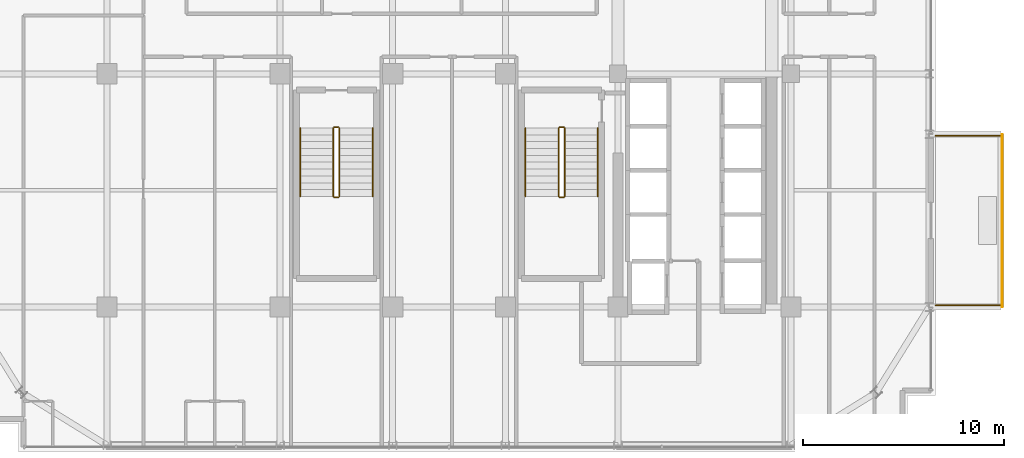
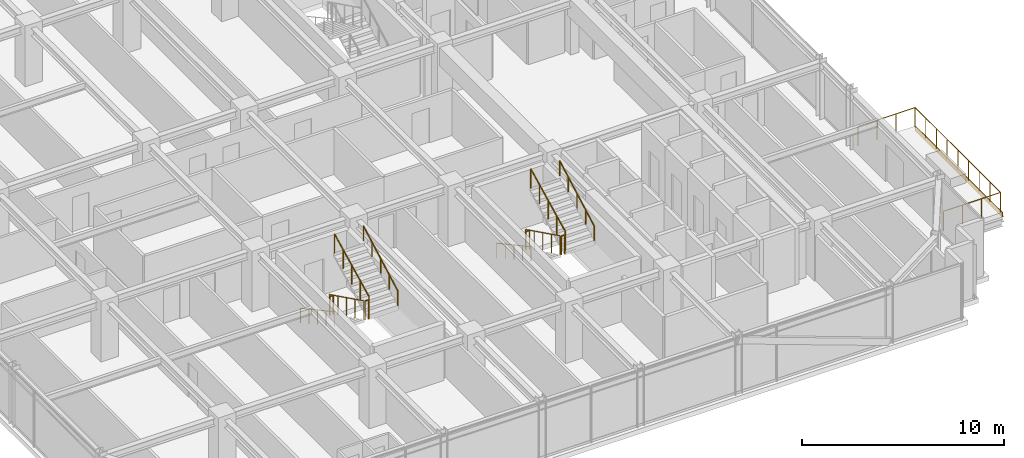
# One storey, part 41 of 43: 13 railings, 1 covering.
"""IFC4 building model written with IfcOpenShell, lengths in metres."""

from ifc_helpers import new_model, si_unit, direction, frame, origin, origin_2d, place, context, subcontext, project, spatial, rectangle, circle, extrude, source, transform, mapped, material, layer, layer_set, type_object, element, save


model = new_model("IFC4")

# Units and contexts
model_context = context("Model", 3, precision=1e-05, world=origin(), true_north=direction((0.0, 1.0)))
body_context = subcontext(model_context, "Body", "Model", "MODEL_VIEW")
ifc_project = project(units=[si_unit("LENGTHUNIT", "METRE"), si_unit("AREAUNIT", "SQUARE_METRE"), si_unit("VOLUMEUNIT", "CUBIC_METRE"), si_unit("PLANEANGLEUNIT", "RADIAN"), si_unit("MASSUNIT", "GRAM", prefix="KILO")], contexts=[model_context])

# Site, building, storey
site_placement = place(None, origin())
site = spatial("IfcSite", under=ifc_project, at=site_placement, CompositionType="ELEMENT")
building_placement = place(site_placement, origin())
building = spatial("IfcBuilding", under=site, at=building_placement, Name="Nahalor Promenade Grand Hotel", CompositionType="ELEMENT")
storey_placement = place(building_placement, frame((0.0, 0.0, 204.89990234375)))
storey = spatial("IfcBuildingStorey", under=building, at=storey_placement, Name="L52", CompositionType="ELEMENT", Elevation=204.89990234375)

# Railings
ifc_material_1 = material(Name="Anodised Bronze Aluminium EN AW-6063 T6", Category="aluminium")
railing_type_1 = type_object("IfcRailingType", Name="Bronze Balcony Guardrail 1200 mm", PredefinedType="GUARDRAIL", material=ifc_material_1)
railing_1_placement = place(storey_placement, frame((24.199951171875, -16.919921875, 0.0)))
element("IfcRailing", 1, at=railing_1_placement, inside=storey, type_object=railing_type_1, Name="L52 Balcony Guardrail 2", PredefinedType="GUARDRAIL", context=body_context, shape_type="SweptSolid", body=[
    extrude(circle(Radius=0.024048, at=origin_2d()), frame((0.0, 0.0, 1.17578125), z_axis=(1.0, 0.0, 0.0), x_axis=(0.0, 1.0, 0.0)), (0.0, 0.0, 1.0), 3.248046875),
    extrude(circle(Radius=0.024048, at=origin_2d()), frame((3.25, 0.001953125, 1.17578125), z_axis=(0.0, 1.0, 0.0), x_axis=(-1.0, 0.0, 0.0)), (0.0, 0.0, 1.0), 8.43603515625),
    extrude(circle(Radius=0.024048, at=origin_2d()), frame((3.248046875, 8.43994140625, 1.17578125), z_axis=(-1.0, 0.0, 0.0), x_axis=(0.0, -1.0, 0.0)), (0.0, 0.0, 1.0), 3.248046875),
    extrude(circle(Radius=0.020996, at=origin_2d()), origin(), (0.0, 0.0, 1.0), 1.14990234375),
    extrude(circle(Radius=0.020996, at=origin_2d()), frame((1.083251953125, 0.0, 0.0)), (0.0, 0.0, 1.0), 1.14990234375),
    extrude(circle(Radius=0.020996, at=origin_2d()), frame((2.166748046875, 0.0, 0.0)), (0.0, 0.0, 1.0), 1.14990234375),
    extrude(circle(Radius=0.020996, at=origin_2d()), frame((3.25, 0.0, 0.0)), (0.0, 0.0, 1.0), 1.14990234375),
    extrude(circle(Radius=0.020996, at=origin_2d()), frame((3.25, 1.054931640625, 0.0)), (0.0, 0.0, 1.0), 1.14990234375),
    extrude(circle(Radius=0.020996, at=origin_2d()), frame((3.25, 2.10986328125, 0.0)), (0.0, 0.0, 1.0), 1.14990234375),
    extrude(circle(Radius=0.020996, at=origin_2d()), frame((3.25, 3.1650390625, 0.0)), (0.0, 0.0, 1.0), 1.14990234375),
    extrude(circle(Radius=0.020996, at=origin_2d()), frame((3.25, 4.219970703125, 0.0)), (0.0, 0.0, 1.0), 1.14990234375),
    extrude(circle(Radius=0.020996, at=origin_2d()), frame((3.25, 5.27490234375, 0.0)), (0.0, 0.0, 1.0), 1.14990234375),
    extrude(circle(Radius=0.020996, at=origin_2d()), frame((3.25, 6.330078125, 0.0)), (0.0, 0.0, 1.0), 1.14990234375),
    extrude(circle(Radius=0.020996, at=origin_2d()), frame((3.25, 7.385009765625, 0.0)), (0.0, 0.0, 1.0), 1.14990234375),
    extrude(circle(Radius=0.020996, at=origin_2d()), frame((3.25, 8.43994140625, 0.0)), (0.0, 0.0, 1.0), 1.14990234375),
    extrude(circle(Radius=0.020996, at=origin_2d()), frame((2.166748046875, 8.43994140625, 0.0)), (0.0, 0.0, 1.0), 1.14990234375),
    extrude(circle(Radius=0.020996, at=origin_2d()), frame((1.083251953125, 8.43994140625, 0.0)), (0.0, 0.0, 1.0), 1.14990234375),
    extrude(circle(Radius=0.020996, at=origin_2d()), frame((0.0, 8.43994140625, 0.0)), (0.0, 0.0, 1.0), 1.14990234375),
])
ifc_material_2 = material(Name="Steel S355JR", Category="steel")
railing_type_2 = type_object("IfcRailingType", Name="Steel Stair Guardrail 1150 mm", PredefinedType="GUARDRAIL", material=ifc_material_2)
railing_2_placement = place(storey_placement, frame((5.449951171875, -8.10009765625, 0.168212890625)))
element("IfcRailing", 2, at=railing_2_placement, inside=storey, type_object=railing_type_2, Name="L52 ST2 stair guard 1", PredefinedType="GUARDRAIL", context=body_context, shape_type="SweptSolid", body=[
    extrude(circle(Radius=0.024048, at=origin_2d()), frame((0.0, 0.0, 1.1259765625), z_axis=(0.0, -0.896324230515, 0.443399226197), x_axis=(1.0, 0.0, 0.0)), (0.0, 0.0, 1.0), 3.793212890625),
    extrude(circle(Radius=0.020996, at=origin_2d()), origin(), (0.0, 0.0, 1.0), 1.099853515625),
    extrude(circle(Radius=0.020996, at=origin_2d()), frame((0.0, -0.85009765625, 0.42041015625)), (0.0, 0.0, 1.0), 1.099853515625),
    extrude(circle(Radius=0.020996, at=origin_2d()), frame((0.0, -1.699951171875, 0.8408203125)), (0.0, 0.0, 1.0), 1.099853515625),
    extrude(circle(Radius=0.020996, at=origin_2d()), frame((0.0, -2.5498046875, 1.261474609375)), (0.0, 0.0, 1.0), 1.099853515625),
    extrude(circle(Radius=0.020996, at=origin_2d()), frame((0.0, -3.39990234375, 1.681884765625)), (0.0, 0.0, 1.0), 1.099853515625),
])
railing_3_placement = place(storey_placement, frame((5.5, -11.550048828125, 1.85009765625)))
element("IfcRailing", 3, at=railing_3_placement, inside=storey, type_object=railing_type_2, Name="L52 ST2 stair guard 2", PredefinedType="GUARDRAIL", context=body_context, shape_type="SweptSolid", body=[
    extrude(circle(Radius=0.024048, at=origin_2d()), frame((0.0, 0.0, 1.1259765625), z_axis=(1.0, 0.0, 0.0), x_axis=(0.0, 1.0, 0.0)), (0.0, 0.0, 1.0), 0.199951171875),
    extrude(circle(Radius=0.020996, at=origin_2d()), origin(), (0.0, 0.0, 1.0), 1.099853515625),
    extrude(circle(Radius=0.020996, at=origin_2d()), frame((0.199951171875, 0.0, 0.0)), (0.0, 0.0, 1.0), 1.099853515625),
])
railing_4_placement = place(storey_placement, frame((5.75, -11.5, 2.018310546875)))
element("IfcRailing", 4, at=railing_4_placement, inside=storey, type_object=railing_type_2, Name="L52 ST2 stair guard 3", PredefinedType="GUARDRAIL", context=body_context, shape_type="SweptSolid", body=[
    extrude(circle(Radius=0.024048, at=origin_2d()), frame((0.0, 0.0, 1.1259765625), z_axis=(0.0, 0.896324230515, 0.443399226197), x_axis=(-1.0, 0.0, 0.0)), (0.0, 0.0, 1.0), 3.793212890625),
    extrude(circle(Radius=0.020996, at=origin_2d()), origin(), (0.0, 0.0, 1.0), 1.099853515625),
    extrude(circle(Radius=0.020996, at=origin_2d()), frame((0.0, 0.85009765625, 0.42041015625)), (0.0, 0.0, 1.0), 1.099853515625),
    extrude(circle(Radius=0.020996, at=origin_2d()), frame((0.0, 1.699951171875, 0.8408203125)), (0.0, 0.0, 1.0), 1.099853515625),
    extrude(circle(Radius=0.020996, at=origin_2d()), frame((0.0, 2.5498046875, 1.261474609375)), (0.0, 0.0, 1.0), 1.099853515625),
    extrude(circle(Radius=0.020996, at=origin_2d()), frame((0.0, 3.39990234375, 1.681884765625)), (0.0, 0.0, 1.0), 1.099853515625),
])
railing_5_placement = place(storey_placement, frame((5.5, -8.050048828125, 0.0)))
element("IfcRailing", 5, at=railing_5_placement, inside=storey, type_object=railing_type_2, Name="L52 ST2 stair guard 4", PredefinedType="GUARDRAIL", context=body_context, shape_type="SweptSolid", body=[
    extrude(circle(Radius=0.024048, at=origin_2d()), frame((0.0, 0.0, 1.1259765625), z_axis=(1.0, 0.0, 0.0), x_axis=(0.0, 1.0, 0.0)), (0.0, 0.0, 1.0), 0.199951171875),
    extrude(circle(Radius=0.020996, at=origin_2d()), origin(), (0.0, 0.0, 1.0), 1.099853515625),
    extrude(circle(Radius=0.020996, at=origin_2d()), frame((0.199951171875, 0.0, 0.0)), (0.0, 0.0, 1.0), 1.099853515625),
])
railing_6_placement = place(storey_placement, frame((-5.75, -8.10009765625, 0.168212890625)))
element("IfcRailing", 6, at=railing_6_placement, inside=storey, type_object=railing_type_2, Name="L52 ST3 stair guard 1", PredefinedType="GUARDRAIL", context=body_context, shape_type="SweptSolid", body=[
    extrude(circle(Radius=0.024048, at=origin_2d()), frame((0.0, 0.0, 1.1259765625), z_axis=(0.0, -0.896324230515, 0.443399226197), x_axis=(1.0, 0.0, 0.0)), (0.0, 0.0, 1.0), 3.793212890625),
    extrude(circle(Radius=0.020996, at=origin_2d()), origin(), (0.0, 0.0, 1.0), 1.099853515625),
    extrude(circle(Radius=0.020996, at=origin_2d()), frame((0.0, -0.85009765625, 0.42041015625)), (0.0, 0.0, 1.0), 1.099853515625),
    extrude(circle(Radius=0.020996, at=origin_2d()), frame((0.0, -1.699951171875, 0.8408203125)), (0.0, 0.0, 1.0), 1.099853515625),
    extrude(circle(Radius=0.020996, at=origin_2d()), frame((0.0, -2.5498046875, 1.261474609375)), (0.0, 0.0, 1.0), 1.099853515625),
    extrude(circle(Radius=0.020996, at=origin_2d()), frame((0.0, -3.39990234375, 1.681884765625)), (0.0, 0.0, 1.0), 1.099853515625),
])
railing_7_placement = place(storey_placement, frame((-5.699951171875, -11.550048828125, 1.85009765625)))
element("IfcRailing", 7, at=railing_7_placement, inside=storey, type_object=railing_type_2, Name="L52 ST3 stair guard 2", PredefinedType="GUARDRAIL", context=body_context, shape_type="SweptSolid", body=[
    extrude(circle(Radius=0.024048, at=origin_2d()), frame((0.0, 0.0, 1.1259765625), z_axis=(1.0, 0.0, 0.0), x_axis=(0.0, 1.0, 0.0)), (0.0, 0.0, 1.0), 0.199951171875),
    extrude(circle(Radius=0.020996, at=origin_2d()), origin(), (0.0, 0.0, 1.0), 1.099853515625),
    extrude(circle(Radius=0.020996, at=origin_2d()), frame((0.199951171875, 0.0, 0.0)), (0.0, 0.0, 1.0), 1.099853515625),
])
railing_8_placement = place(storey_placement, frame((-5.449951171875, -11.5, 2.018310546875)))
element("IfcRailing", 8, at=railing_8_placement, inside=storey, type_object=railing_type_2, Name="L52 ST3 stair guard 3", PredefinedType="GUARDRAIL", context=body_context, shape_type="SweptSolid", body=[
    extrude(circle(Radius=0.024048, at=origin_2d()), frame((0.0, 0.0, 1.1259765625), z_axis=(0.0, 0.896324230515, 0.443399226197), x_axis=(-1.0, 0.0, 0.0)), (0.0, 0.0, 1.0), 3.793212890625),
    extrude(circle(Radius=0.020996, at=origin_2d()), origin(), (0.0, 0.0, 1.0), 1.099853515625),
    extrude(circle(Radius=0.020996, at=origin_2d()), frame((0.0, 0.85009765625, 0.42041015625)), (0.0, 0.0, 1.0), 1.099853515625),
    extrude(circle(Radius=0.020996, at=origin_2d()), frame((0.0, 1.699951171875, 0.8408203125)), (0.0, 0.0, 1.0), 1.099853515625),
    extrude(circle(Radius=0.020996, at=origin_2d()), frame((0.0, 2.5498046875, 1.261474609375)), (0.0, 0.0, 1.0), 1.099853515625),
    extrude(circle(Radius=0.020996, at=origin_2d()), frame((0.0, 3.39990234375, 1.681884765625)), (0.0, 0.0, 1.0), 1.099853515625),
])
railing_9_placement = place(storey_placement, frame((-5.699951171875, -8.050048828125, 0.0)))
element("IfcRailing", 9, at=railing_9_placement, inside=storey, type_object=railing_type_2, Name="L52 ST3 stair guard 4", PredefinedType="GUARDRAIL", context=body_context, shape_type="SweptSolid", body=[
    extrude(circle(Radius=0.024048, at=origin_2d()), frame((0.0, 0.0, 1.1259765625), z_axis=(1.0, 0.0, 0.0), x_axis=(0.0, 1.0, 0.0)), (0.0, 0.0, 1.0), 0.199951171875),
    extrude(circle(Radius=0.020996, at=origin_2d()), origin(), (0.0, 0.0, 1.0), 1.099853515625),
    extrude(circle(Radius=0.020996, at=origin_2d()), frame((0.199951171875, 0.0, 0.0)), (0.0, 0.0, 1.0), 1.099853515625),
])
railing_type_3 = type_object("IfcRailingType", Name="Steel Stair Handrail 900 mm", PredefinedType="HANDRAIL", material=ifc_material_2)
railing_10_placement = place(storey_placement, frame((3.800048828125, -8.10009765625, 0.168212890625)))
element("IfcRailing", 10, at=railing_10_placement, inside=storey, type_object=railing_type_3, Name="L52 ST2 stair handrail 1", PredefinedType="HANDRAIL", context=body_context, shape_type="SweptSolid", body=[
    extrude(circle(Radius=0.024048, at=origin_2d()), frame((0.0, 0.0, 0.8759765625), z_axis=(0.0, -0.87837241229, 0.47797688786), x_axis=(1.0, 0.0, 0.0)), (0.0, 0.0, 1.0), 3.87060546875),
    extrude(circle(Radius=0.020996, at=origin_2d()), origin(), (0.0, 0.0, 1.0), 0.849853515625),
    extrude(circle(Radius=0.020996, at=origin_2d()), frame((0.0, -0.85009765625, 0.46240234375)), (0.0, 0.0, 1.0), 0.849853515625),
    extrude(circle(Radius=0.020996, at=origin_2d()), frame((0.0, -1.699951171875, 0.925048828125)), (0.0, 0.0, 1.0), 0.849853515625),
    extrude(circle(Radius=0.020996, at=origin_2d()), frame((0.0, -2.5498046875, 1.3876953125)), (0.0, 0.0, 1.0), 0.849853515625),
    extrude(circle(Radius=0.020996, at=origin_2d()), frame((0.0, -3.39990234375, 1.85009765625)), (0.0, 0.0, 1.0), 0.849853515625),
])
railing_11_placement = place(storey_placement, frame((7.39990234375, -11.5, 2.018310546875)))
element("IfcRailing", 11, at=railing_11_placement, inside=storey, type_object=railing_type_3, Name="L52 ST2 stair handrail 2", PredefinedType="HANDRAIL", context=body_context, shape_type="SweptSolid", body=[
    extrude(circle(Radius=0.024048, at=origin_2d()), frame((0.0, 0.0, 0.8759765625), z_axis=(0.0, 0.878398892953, 0.47792822145), x_axis=(-1.0, 0.0, 0.0)), (0.0, 0.0, 1.0), 3.87060546875),
    extrude(circle(Radius=0.020996, at=origin_2d()), origin(), (0.0, 0.0, 1.0), 0.849853515625),
    extrude(circle(Radius=0.020996, at=origin_2d()), frame((0.0, 0.85009765625, 0.46240234375)), (0.0, 0.0, 1.0), 0.849853515625),
    extrude(circle(Radius=0.020996, at=origin_2d()), frame((0.0, 1.699951171875, 0.9248046875)), (0.0, 0.0, 1.0), 0.849853515625),
    extrude(circle(Radius=0.020996, at=origin_2d()), frame((0.0, 2.5498046875, 1.387451171875)), (0.0, 0.0, 1.0), 0.849853515625),
    extrude(circle(Radius=0.020996, at=origin_2d()), frame((0.0, 3.39990234375, 1.849853515625)), (0.0, 0.0, 1.0), 0.849853515625),
])
railing_12_placement = place(storey_placement, frame((-7.39990234375, -8.10009765625, 0.168212890625)))
element("IfcRailing", 12, at=railing_12_placement, inside=storey, type_object=railing_type_3, Name="L52 ST3 stair handrail 1", PredefinedType="HANDRAIL", context=body_context, shape_type="SweptSolid", body=[
    extrude(circle(Radius=0.024048, at=origin_2d()), frame((0.0, 0.0, 0.8759765625), z_axis=(0.0, -0.87837241229, 0.47797688786), x_axis=(1.0, 0.0, 0.0)), (0.0, 0.0, 1.0), 3.87060546875),
    extrude(circle(Radius=0.020996, at=origin_2d()), origin(), (0.0, 0.0, 1.0), 0.849853515625),
    extrude(circle(Radius=0.020996, at=origin_2d()), frame((0.0, -0.85009765625, 0.46240234375)), (0.0, 0.0, 1.0), 0.849853515625),
    extrude(circle(Radius=0.020996, at=origin_2d()), frame((0.0, -1.699951171875, 0.925048828125)), (0.0, 0.0, 1.0), 0.849853515625),
    extrude(circle(Radius=0.020996, at=origin_2d()), frame((0.0, -2.5498046875, 1.3876953125)), (0.0, 0.0, 1.0), 0.849853515625),
    extrude(circle(Radius=0.020996, at=origin_2d()), frame((0.0, -3.39990234375, 1.85009765625)), (0.0, 0.0, 1.0), 0.849853515625),
])
railing_13_placement = place(storey_placement, frame((-3.800048828125, -11.5, 2.018310546875)))
element("IfcRailing", 13, at=railing_13_placement, inside=storey, type_object=railing_type_3, Name="L52 ST3 stair handrail 2", PredefinedType="HANDRAIL", context=body_context, shape_type="SweptSolid", body=[
    extrude(circle(Radius=0.024048, at=origin_2d()), frame((0.0, 0.0, 0.8759765625), z_axis=(0.0, 0.878398892953, 0.47792822145), x_axis=(-1.0, 0.0, 0.0)), (0.0, 0.0, 1.0), 3.87060546875),
    extrude(circle(Radius=0.020996, at=origin_2d()), origin(), (0.0, 0.0, 1.0), 0.849853515625),
    extrude(circle(Radius=0.020996, at=origin_2d()), frame((0.0, 0.85009765625, 0.46240234375)), (0.0, 0.0, 1.0), 0.849853515625),
    extrude(circle(Radius=0.020996, at=origin_2d()), frame((0.0, 1.699951171875, 0.9248046875)), (0.0, 0.0, 1.0), 0.849853515625),
    extrude(circle(Radius=0.020996, at=origin_2d()), frame((0.0, 2.5498046875, 1.387451171875)), (0.0, 0.0, 1.0), 0.849853515625),
    extrude(circle(Radius=0.020996, at=origin_2d()), frame((0.0, 3.39990234375, 1.849853515625)), (0.0, 0.0, 1.0), 0.849853515625),
])

# Covering
ifc_layer = layer(ifc_material_1, 0.0400390625)
ifc_layer_set = layer_set([ifc_layer], Name="Anodised Bronze Aluminium EN AW-6063 T6")
covering_type = type_object("IfcCoveringType", Name="Bronze Spandrel Cladding Panel", PredefinedType="CLADDING", material=ifc_layer_set)
shared_shape = source(origin(), body_context, "Body", "SweptSolid", [
    extrude(rectangle(XDim=8.60009765625, YDim=0.0400390625, at=origin_2d()), origin(), (0.0, 0.0, 1.0), 0.280029296875),
])
covering_placement = place(storey_placement, frame((27.510009765625, -12.699951171875, -0.27978515625), z_axis=(0.0, 0.0, 1.0), x_axis=(0.0, 1.0, 0.0)))
element("IfcCovering", 14, at=covering_placement, inside=storey, type_object=covering_type, Name="CL-L52-BALC-02", PredefinedType="CLADDING", context=body_context, shape_type="MappedRepresentation", body=[
    mapped(shared_shape, transform((0.0, 0.0, 0.0), scale=1.0)),
])

save(model, "model.ifc")
